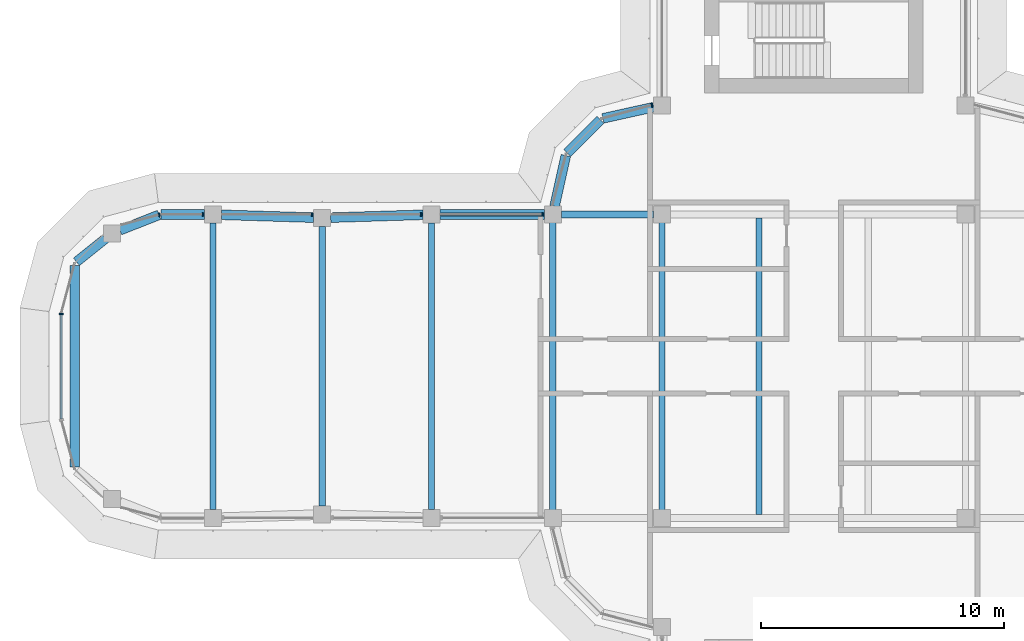
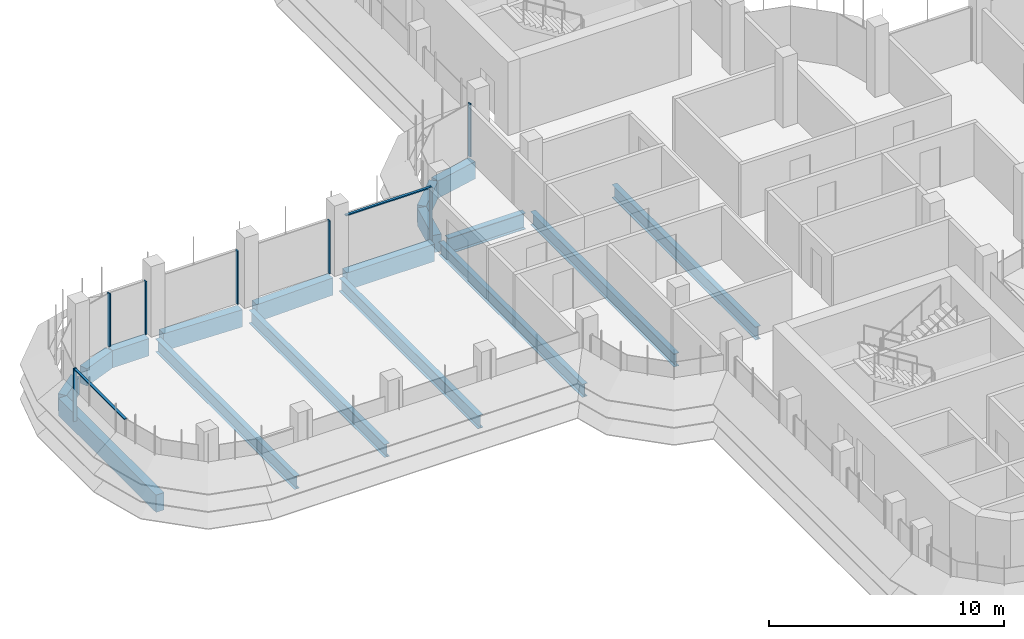
# One storey, part 6 of 19: 17 beams, 9 members, 4 elements without a shape of their own.
"""IFC4 building model written with IfcOpenShell, lengths in metres."""

from ifc_helpers import new_model, si_unit, direction, frame, origin, origin_2d, place, context, subcontext, project, spatial, polyline, rectangle, i_section, outline, extrude, source, transform, mapped, material, material_profile, profile_set, type_object, element, aggregate, save


model = new_model("IFC4")

# Units and contexts
model_context = context("Model", 3, precision=1e-05, world=origin(), true_north=direction((0.0, 1.0)))
body_context = subcontext(model_context, "Body", "Model", "MODEL_VIEW")
ifc_project = project(units=[si_unit("LENGTHUNIT", "METRE"), si_unit("AREAUNIT", "SQUARE_METRE"), si_unit("VOLUMEUNIT", "CUBIC_METRE"), si_unit("PLANEANGLEUNIT", "RADIAN"), si_unit("MASSUNIT", "GRAM", prefix="KILO")], contexts=[model_context])

# Site, building, storey
site_placement = place(None, origin())
site = spatial("IfcSite", under=ifc_project, at=site_placement, CompositionType="ELEMENT")
building_placement = place(site_placement, origin())
building = spatial("IfcBuilding", under=site, at=building_placement, Name="Zarbagh Exchange Tower", CompositionType="ELEMENT")
storey_placement = place(building_placement, frame((0.0, 0.0, 225.800048828125)))
storey = spatial("IfcBuildingStorey", under=building, at=storey_placement, Name="L55", CompositionType="ELEMENT", Elevation=225.800048828125)

# Beams
ifc_material_1 = material(Name="Steel ASTM A992 Gr 50", Category="steel")
ifc_material_profile_1 = material_profile(ifc_material_1, i_section(OverallWidth=0.25390625, OverallDepth=0.67822265625, WebThickness=0.01171875, FlangeThickness=0.016357421875, at=origin_2d()), Name="W27X84")
ifc_profile_set_1 = profile_set([ifc_material_profile_1], Name="Steel ASTM A992 Gr 50")
beam_type_1 = type_object("IfcBeamType", Name="Floor beam W27X84", PredefinedType="BEAM", material=ifc_profile_set_1)
for number, where, z_axis, x_axis, name in (
    (1, (-10.75, -6.10400390625, -0.4892578125), (0.0, 1.0, 0.0), (-1.0, 0.0, 0.0), "Steel floor beam"),
    (2, (-6.25, -6.10400390625, -0.4892578125), (0.0, 1.0, 0.0), (-1.0, 0.0, 0.0), "Steel floor beam"),
    (3, (-2.25, -6.10400390625, -0.4892578125), (0.0, 1.0, 0.0), (-1.0, 0.0, 0.0), "Steel floor beam"),
):
    element("IfcBeam", number, at=place(storey_placement, frame(where, z_axis=z_axis, x_axis=x_axis)), inside=storey, type_object=beam_type_1, Name=name, PredefinedType="BEAM", context=body_context, shape_type="SweptSolid", body=[
        extrude(i_section(OverallWidth=0.25390625, OverallDepth=0.67822265625, WebThickness=0.01171875, FlangeThickness=0.016357421875, at=origin_2d()), origin(), (0.0, 0.0, 1.0), 12.2080078125),
    ])
beam_1_placement = place(storey_placement, frame((-15.75, -5.89990234375, -0.4892578125), z_axis=(0.0, 1.0, 0.0), x_axis=(-1.0, 0.0, 0.0)))
element("IfcBeam", 4, at=beam_1_placement, inside=storey, type_object=beam_type_1, Name="Steel floor beam", PredefinedType="BEAM", context=body_context, shape_type="SweptSolid", body=[
    extrude(i_section(OverallWidth=0.25390625, OverallDepth=0.67822265625, WebThickness=0.01171875, FlangeThickness=0.016357421875, at=origin_2d()), origin(), (0.0, 0.0, 1.0), 11.7998046875),
])
beam_2_placement = place(storey_placement, frame((-20.25, -5.760009765625, -0.4892578125), z_axis=(0.0, 1.0, 0.0), x_axis=(-1.0, 0.0, 0.0)))
element("IfcBeam", 5, at=beam_2_placement, inside=storey, type_object=beam_type_1, Name="Steel floor beam", PredefinedType="BEAM", context=body_context, shape_type="SweptSolid", body=[
    extrude(i_section(OverallWidth=0.25390625, OverallDepth=0.67822265625, WebThickness=0.01171875, FlangeThickness=0.016357421875, at=origin_2d()), origin(), (0.0, 0.0, 1.0), 11.52001953125),
])
beam_3_placement = place(storey_placement, frame((-24.75, -5.89990234375, -0.4892578125), z_axis=(0.0, 1.0, 0.0), x_axis=(-1.0, 0.0, 0.0)))
element("IfcBeam", 6, at=beam_3_placement, inside=storey, type_object=beam_type_1, Name="Steel floor beam", PredefinedType="BEAM", context=body_context, shape_type="SweptSolid", body=[
    extrude(i_section(OverallWidth=0.25390625, OverallDepth=0.67822265625, WebThickness=0.01171875, FlangeThickness=0.016357421875, at=origin_2d()), origin(), (0.0, 0.0, 1.0), 11.7998046875),
])
ifc_material_profile_2 = material_profile(ifc_material_1, i_section(OverallWidth=0.2919921875, OverallDepth=0.835693359375, WebThickness=0.013916015625, FlangeThickness=0.018798828125, at=origin_2d()), Name="W33X118")
ifc_profile_set_2 = profile_set([ifc_material_profile_2], Name="Steel ASTM A992 Gr 50")
beam_type_2 = type_object("IfcBeamType", Name="Floor girder W33X118", PredefinedType="BEAM", material=ifc_profile_set_2)
beam_4_placement = place(storey_placement, frame((-10.39990234375, 6.25, -0.56787109375), z_axis=(1.0, 0.0, 0.0), x_axis=(0.0, 1.0, 0.0)))
element("IfcBeam", 7, at=beam_4_placement, inside=storey, type_object=beam_type_2, Name="Steel girder", PredefinedType="BEAM", context=body_context, shape_type="SweptSolid", body=[
    extrude(i_section(OverallWidth=0.2919921875, OverallDepth=0.835693359375, WebThickness=0.013916015625, FlangeThickness=0.018798828125, at=origin_2d()), origin(), (0.0, 0.0, 1.0), 3.7998046875),
])
ifc_material_2 = material(Name="Concrete C50/60", Category="concrete")
ifc_material_profile_3 = material_profile(ifc_material_2, rectangle(XDim=0.39990234375, YDim=0.89990234375, at=origin_2d()), Name="RC spandrel beam 400 x 900 C50/60")
ifc_profile_set_3 = profile_set([ifc_material_profile_3], Name="Concrete C50/60")
beam_type_3 = type_object("IfcBeamType", Name="RC spandrel beam 400 x 900 C50/60", PredefinedType="SPANDREL", material=ifc_profile_set_3)
beam_5_placement = place(storey_placement, frame((-30.44873046875, -4.14501953125, -0.60009765625), z_axis=(0.0, 1.0, 0.0), x_axis=(-1.0, 0.0, 0.0)))
element("IfcBeam", 8, at=beam_5_placement, inside=storey, type_object=beam_type_3, Name="RC spandrel beam", PredefinedType="SPANDREL", context=body_context, shape_type="SweptSolid", body=[
    extrude(rectangle(XDim=0.39990234375, YDim=0.89990234375, at=origin_2d()), origin(), (0.0, 0.0, 1.0), 8.2900390625),
])
beam_6_placement = place(storey_placement, frame((-30.373779296875, 4.30126953125, -0.60009765625), z_axis=(0.780634897504, 0.62498732531, 0.0), x_axis=(-0.62498732531, 0.780634897504, 0.0)))
element("IfcBeam", 9, at=beam_6_placement, inside=storey, type_object=beam_type_3, Name="RC spandrel beam", PredefinedType="SPANDREL", context=body_context, shape_type="SweptSolid", body=[
    extrude(rectangle(XDim=0.39990234375, YDim=0.89990234375, at=origin_2d()), origin(), (0.0, 0.0, 1.0), 1.52783203125),
])
beam_7_placement = place(storey_placement, frame((-28.582275390625, 5.602783203125, -0.60009765625), z_axis=(0.930809711446, 0.365504146457, 0.0), x_axis=(-0.365504146457, 0.930809711446, 0.0)))
element("IfcBeam", 10, at=beam_7_placement, inside=storey, type_object=beam_type_3, Name="RC spandrel beam", PredefinedType="SPANDREL", context=body_context, shape_type="SweptSolid", body=[
    extrude(rectangle(XDim=0.39990234375, YDim=0.89990234375, at=origin_2d()), origin(), (0.0, 0.0, 1.0), 1.732666015625),
])
beam_8_placement = place(storey_placement, frame((-26.896240234375, 6.25, -0.60009765625), z_axis=(1.0, 0.0, 0.0), x_axis=(0.0, 1.0, 0.0)))
element("IfcBeam", 11, at=beam_8_placement, inside=storey, type_object=beam_type_3, Name="RC spandrel beam", PredefinedType="SPANDREL", context=body_context, shape_type="SweptSolid", body=[
    extrude(rectangle(XDim=0.39990234375, YDim=0.89990234375, at=origin_2d()), origin(), (0.0, 0.0, 1.0), 1.796142578125),
])
for number, where, z_axis, x_axis, name in (
    (12, (-24.400146484375, 6.239013671875, -0.60009765625), (0.999516950199, -0.031078389046, 0.0), (0.031078389046, 0.999516950199, 0.0), "RC spandrel beam"),
    (13, (-19.900146484375, 6.120849609375, -0.60009765625), (0.999516950199, 0.031078389046, 0.0), (-0.031078389046, 0.999516950199, 0.0), "RC spandrel beam"),
):
    element("IfcBeam", number, at=place(storey_placement, frame(where, z_axis=z_axis, x_axis=x_axis)), inside=storey, type_object=beam_type_3, Name=name, PredefinedType="SPANDREL", context=body_context, shape_type="SweptSolid", body=[
        extrude(rectangle(XDim=0.39990234375, YDim=0.89990234375, at=origin_2d()), origin(), (0.0, 0.0, 1.0), 3.80224609375),
    ])
beam_9_placement = place(storey_placement, frame((-15.39990234375, 6.25, -0.60009765625), z_axis=(1.0, 0.0, 0.0), x_axis=(0.0, 1.0, 0.0)))
element("IfcBeam", 14, at=beam_9_placement, inside=storey, type_object=beam_type_3, Name="RC spandrel beam", PredefinedType="SPANDREL", context=body_context, shape_type="SweptSolid", body=[
    extrude(rectangle(XDim=0.39990234375, YDim=0.89990234375, at=origin_2d()), origin(), (0.0, 0.0, 1.0), 4.2998046875),
])
beam_10_placement = place(storey_placement, frame((-10.67431640625, 6.591796875, -0.60009765625), z_axis=(0.216013551096, 0.97639036545, 0.0), x_axis=(-0.97639036545, 0.216013551096, 0.0)))
element("IfcBeam", 15, at=beam_10_placement, inside=storey, type_object=beam_type_3, Name="RC spandrel beam", PredefinedType="SPANDREL", context=body_context, shape_type="SweptSolid", body=[
    extrude(rectangle(XDim=0.39990234375, YDim=0.89990234375, at=origin_2d()), origin(), (0.0, 0.0, 1.0), 2.142822265625),
])
beam_11_placement = place(storey_placement, frame((-10.15771484375, 8.782470703125, -0.60009765625), z_axis=(0.707106781187, 0.707106781187, 0.0), x_axis=(-0.707106781187, 0.707106781187, 0.0)))
element("IfcBeam", 16, at=beam_11_placement, inside=storey, type_object=beam_type_3, Name="RC spandrel beam", PredefinedType="SPANDREL", context=body_context, shape_type="SweptSolid", body=[
    extrude(rectangle(XDim=0.39990234375, YDim=0.89990234375, at=origin_2d()), origin(), (0.0, 0.0, 1.0), 1.94482421875),
])
beam_12_placement = place(storey_placement, frame((-8.68408203125, 10.21142578125, -0.60009765625), z_axis=(0.97639036545, 0.216013551096, 0.0), x_axis=(-0.216013551096, 0.97639036545, 0.0)))
element("IfcBeam", 17, at=beam_12_placement, inside=storey, type_object=beam_type_3, Name="RC spandrel beam", PredefinedType="SPANDREL", context=body_context, shape_type="SweptSolid", body=[
    extrude(rectangle(XDim=0.39990234375, YDim=0.89990234375, at=origin_2d()), origin(), (0.0, 0.0, 1.0), 2.142822265625),
])

# Curtain wall, member
ifc_material_3 = material(Name="Anodised aluminium frame and glazing", Category="aluminium")
curtain_wall_type = type_object("IfcCurtainWallType", Name="CWB Ribbon glazing, upper zones", PredefinedType="NOTDEFINED", material=ifc_material_3)
curtain_wall_1_placement = place(storey_placement, origin())
curtain_wall_1 = element("IfcCurtainWall", 18, at=curtain_wall_1_placement, inside=storey, type_object=curtain_wall_type, Name="CWB29 curtain wall", PredefinedType="NOTDEFINED")
ifc_material_4 = material(Name="Anodised aluminium frame", Category="aluminium")
member_type_1 = type_object("IfcMemberType", Name="MUB Mullion, anodised aluminium frame", PredefinedType="MULLION", material=ifc_material_4)
shared_shape_1 = source(origin(), body_context, "Body", "SweptSolid", [
    extrude(outline(polyline([(0.0, -0.080078125), (0.06005859375, -0.080078125), (0.06005859375, 0.080078125), (0.0, 0.080078125), (0.0, -0.080078125)])), origin(), (0.0, 0.0, 1.0), 2.75),
])
placement = place(storey_placement, origin())
member_1 = element("IfcMember", 19, at=placement, type_object=member_type_1, Name="CWB29 mullion 1.1", PredefinedType="MULLION", context=body_context, shape_type="MappedRepresentation", body=[
    mapped(shared_shape_1, transform((-6.64013671875, 10.76171875, 0.0), x_axis=(-0.965924289636, -0.258824779902, 0.0), y_axis=(0.258824779902, -0.965924289636, 0.0), z_axis=(0.0, 0.0, 1.0))),
])
aggregate(curtain_wall_1, [member_1])

# Curtain wall, members
curtain_wall_2_placement = place(storey_placement, origin())
curtain_wall_2 = element("IfcCurtainWall", 20, at=curtain_wall_2_placement, inside=storey, type_object=curtain_wall_type, Name="CWB58 curtain wall", PredefinedType="NOTDEFINED")
member_2 = element("IfcMember", 21, at=placement, type_object=member_type_1, Name="CWB58 mullion 1.1", PredefinedType="MULLION", context=body_context, shape_type="MappedRepresentation", body=[
    mapped(shared_shape_1, transform((-11.14013671875, 6.25, 0.0), x_axis=(-1.0, 0.0, 0.0), y_axis=(0.0, -1.0, 0.0), z_axis=(0.0, 0.0, 1.0))),
])
member_3 = element("IfcMember", 22, at=placement, type_object=member_type_1, Name="CWB58 mullion 2.1", PredefinedType="MULLION", context=body_context, shape_type="MappedRepresentation", body=[
    mapped(shared_shape_1, transform((-16.14013671875, 6.25, 0.0), x_axis=(-1.0, 0.0, 0.0), y_axis=(0.0, -1.0, 0.0), z_axis=(0.0, 0.0, 1.0))),
])
member_4 = element("IfcMember", 23, at=placement, type_object=member_type_1, Name="CWB58 mullion 3.1", PredefinedType="MULLION", context=body_context, shape_type="MappedRepresentation", body=[
    mapped(shared_shape_1, transform((-20.64013671875, 6.25, 0.0), x_axis=(-1.0, 0.0, 0.0), y_axis=(0.0, -1.0, 0.0), z_axis=(0.0, 0.0, 1.0))),
])
member_5 = element("IfcMember", 24, at=placement, type_object=member_type_1, Name="CWB58 mullion 4.1", PredefinedType="MULLION", context=body_context, shape_type="MappedRepresentation", body=[
    mapped(shared_shape_1, transform((-25.14013671875, 6.25, 0.0), x_axis=(-1.0, 0.0, 0.0), y_axis=(0.0, -1.0, 0.0), z_axis=(0.0, 0.0, 1.0))),
])

# Curtain wall, member
curtain_wall_3_placement = place(storey_placement, origin())
curtain_wall_3 = element("IfcCurtainWall", 25, at=curtain_wall_3_placement, inside=storey, type_object=curtain_wall_type, Name="CWB59 curtain wall", PredefinedType="NOTDEFINED")
member_6 = element("IfcMember", 26, at=placement, type_object=member_type_1, Name="CWB59 mullion 1.1", PredefinedType="MULLION", context=body_context, shape_type="MappedRepresentation", body=[
    mapped(shared_shape_1, transform((-26.93408203125, 6.25, 0.0), x_axis=(-0.965924289636, -0.258824779902, 0.0), y_axis=(0.258824779902, -0.965924289636, 0.0), z_axis=(0.0, 0.0, 1.0))),
])
aggregate(curtain_wall_3, [member_6])

# Curtain wall, members
curtain_wall_4_placement = place(storey_placement, origin())
curtain_wall_4 = element("IfcCurtainWall", 27, at=curtain_wall_4_placement, inside=storey, type_object=curtain_wall_type, Name="CWB66 curtain wall", PredefinedType="NOTDEFINED")
member_7 = element("IfcMember", 28, at=placement, type_object=member_type_1, Name="CWB66 mullion 1.1", PredefinedType="MULLION", context=body_context, shape_type="MappedRepresentation", body=[
    mapped(shared_shape_1, transform((-31.0, 2.18408203125, 0.0), x_axis=(0.0, -1.0, 0.0), y_axis=(1.0, 0.0, 0.0), z_axis=(0.0, 0.0, 1.0))),
])
member_type_2 = type_object("IfcMemberType", Name="TRB Transom, anodised aluminium frame", PredefinedType="USERDEFINED", material=ifc_material_4)
shared_shape_2 = source(origin(), body_context, "Body", "SweptSolid", [
    extrude(outline(polyline([(-0.06005859375, -0.06005859375), (0.0, -0.06005859375), (0.0, 0.06005859375), (-0.06005859375, 0.06005859375), (-0.06005859375, -0.06005859375)])), origin(), (0.0, 0.0, 1.0), 4.308349609375),
])
member_8 = element("IfcMember", 29, at=placement, type_object=member_type_2, Name="CWB66 transom 1.1", ObjectType="TRANSOM", PredefinedType="USERDEFINED", context=body_context, shape_type="MappedRepresentation", body=[
    mapped(shared_shape_2, transform((-31.0, 2.124267578125, 2.75), x_axis=(0.0, 0.0, 1.0), y_axis=(-1.0, 0.0, 0.0), z_axis=(0.0, -1.0, 0.0))),
])
aggregate(curtain_wall_4, [member_7, member_8])

# Member
shared_shape_3 = source(origin(), body_context, "Body", "SweptSolid", [
    extrude(outline(polyline([(-0.06005859375, -0.06005859375), (0.0, -0.06005859375), (0.0, 0.06005859375), (-0.06005859375, 0.06005859375), (-0.06005859375, -0.06005859375)])), origin(), (0.0, 0.0, 1.0), 4.159912109375),
])
member_9 = element("IfcMember", 30, at=placement, type_object=member_type_2, Name="CWB58 transom 1.1", ObjectType="TRANSOM", PredefinedType="USERDEFINED", context=body_context, shape_type="MappedRepresentation", body=[
    mapped(shared_shape_3, transform((-11.199951171875, 6.25, 2.75), x_axis=(0.0, 0.0, 1.0), y_axis=(0.0, 1.0, 0.0), z_axis=(-1.0, 0.0, 0.0))),
])

aggregate(curtain_wall_2, [member_2, member_9, member_3, member_4, member_5])

save(model, "model.ifc")
